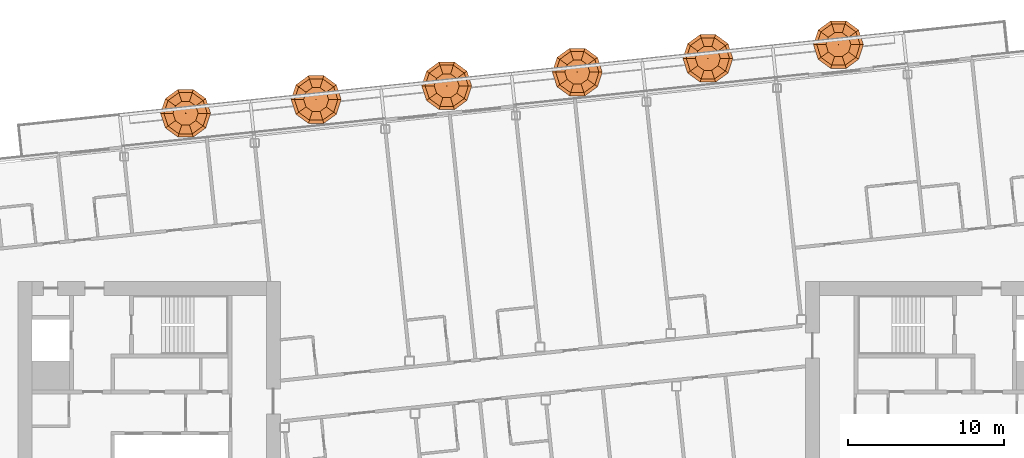
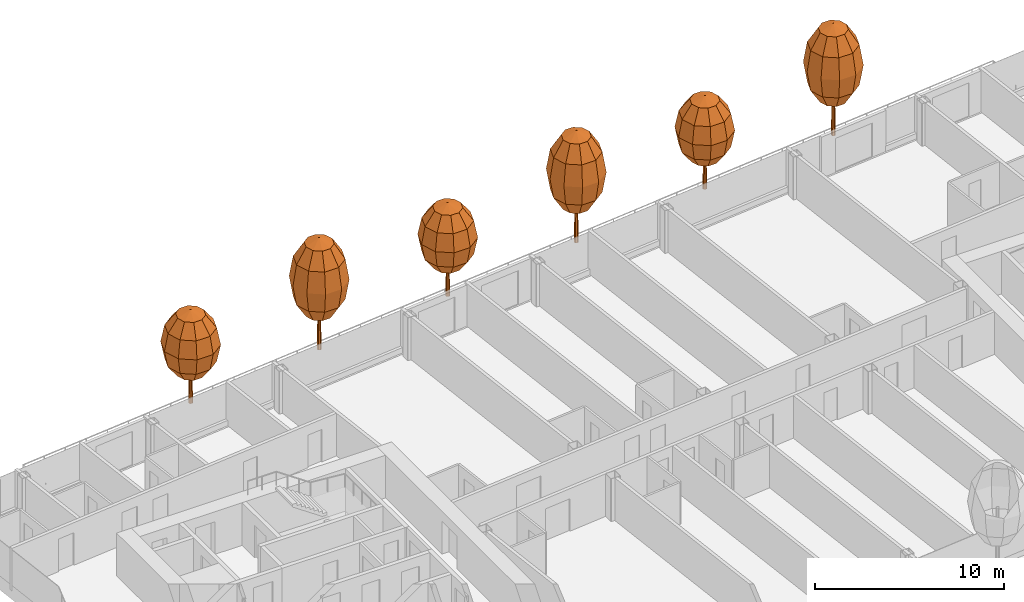
# One storey, part 30 of 30: 6 geographic elements.
"""IFC4 building model written with IfcOpenShell, lengths in metres."""

from ifc_helpers import new_model, si_unit, direction, frame, origin, place, context, subcontext, project, spatial, triangles, material, type_object, element, save


model = new_model("IFC4")

# Units and contexts
model_context = context("Model", 3, precision=1e-05, world=origin(), true_north=direction((0.0, 1.0)))
body_context = subcontext(model_context, "Body", "Model", "MODEL_VIEW")
ifc_project = project(units=[si_unit("LENGTHUNIT", "METRE"), si_unit("AREAUNIT", "SQUARE_METRE"), si_unit("VOLUMEUNIT", "CUBIC_METRE"), si_unit("PLANEANGLEUNIT", "RADIAN"), si_unit("MASSUNIT", "GRAM", prefix="KILO")], contexts=[model_context])

# Site, building, storey
site_placement = place(None, origin())
site = spatial("IfcSite", under=ifc_project, at=site_placement, CompositionType="ELEMENT")
building_placement = place(site_placement, origin())
building = spatial("IfcBuilding", under=site, at=building_placement, Name="Hakoniwa Tower and Hamabe Station Hall", CompositionType="ELEMENT")
storey_placement = place(building_placement, frame((0.0, 0.0, 245.39990234375)))
storey = spatial("IfcBuildingStorey", under=building, at=storey_placement, Name="L69", CompositionType="ELEMENT", Elevation=245.39990234375)

# Geographic elements
ifc_material_1 = material(Name="Tree foliage")
geographic_element_type_1 = type_object("IfcGeographicElementType", Name="Japanese maple 7.2 m", PredefinedType="USERDEFINED", material=ifc_material_1)
geographic_element_1_placement = place(storey_placement, frame((-14.51171875, 20.029052734375, 0.900146484375)))
element("IfcGeographicElement", 1, at=geographic_element_1_placement, inside=storey, type_object=geographic_element_type_1, Name="Japanese maple 7-2 m", ObjectType="TREE", PredefinedType="USERDEFINED", context=body_context, shape_type="Tessellation", body=[
    triangles([(0.125, 0.0, 0.0), (0.08837890625, 0.08837890625, 0.0), (0.0, 0.125, 0.0), (-0.08837890625, 0.08837890625, 0.0), (-0.125, 0.0, 0.0), (-0.08837890625, -0.08837890625, 0.0), (0.0, -0.125, 0.0), (0.08837890625, -0.08837890625, 0.0), (0.074951171875, 0.0, 4.348876953125), (0.052978515625, 0.052978515625, 4.348876953125), (0.0, 0.074951171875, 4.348876953125), (-0.052978515625, 0.052978515625, 4.348876953125), (-0.074951171875, 0.0, 4.348876953125), (-0.052978515625, -0.052978515625, 4.348876953125), (0.0, -0.074951171875, 4.348876953125), (0.052978515625, -0.052978515625, 4.348876953125), (0.0, 0.0, 0.0), (0.0, 0.0, 4.348876953125)], [[1, 2, 10], [1, 10, 9], [17, 2, 1], [18, 9, 10], [2, 3, 11], [2, 11, 10], [17, 3, 2], [18, 10, 11], [3, 4, 12], [3, 12, 11], [17, 4, 3], [18, 11, 12], [4, 5, 13], [4, 13, 12], [17, 5, 4], [18, 12, 13], [5, 6, 14], [5, 14, 13], [17, 6, 5], [18, 13, 14], [6, 7, 15], [6, 15, 14], [17, 7, 6], [18, 14, 15], [7, 8, 16], [7, 16, 15], [17, 8, 7], [18, 15, 16], [8, 1, 9], [8, 9, 16], [17, 1, 8], [18, 16, 9]], closed=True),
    triangles([(0.0, 0.0, 2.015869140625), (0.800048828125, 0.0, 2.36328125), (0.647216796875, 0.47021484375, 2.36328125), (0.247314453125, 0.7607421875, 2.36328125), (-0.247314453125, 0.7607421875, 2.36328125), (-0.647216796875, 0.47021484375, 2.36328125), (-0.800048828125, 0.0, 2.36328125), (-0.647216796875, -0.47021484375, 2.36328125), (-0.247314453125, -0.7607421875, 2.36328125), (0.247314453125, -0.7607421875, 2.36328125), (0.647216796875, -0.47021484375, 2.36328125), (1.385498046875, 0.0, 3.31201171875), (1.12109375, 0.814453125, 3.31201171875), (0.42822265625, 1.31787109375, 3.31201171875), (-0.42822265625, 1.31787109375, 3.31201171875), (-1.12109375, 0.814453125, 3.31201171875), (-1.385498046875, 0.0, 3.31201171875), (-1.12109375, -0.814453125, 3.31201171875), (-0.42822265625, -1.31787109375, 3.31201171875), (0.42822265625, -1.31787109375, 3.31201171875), (1.12109375, -0.814453125, 3.31201171875), (1.60009765625, 0.0, 4.60791015625), (1.29443359375, 0.9404296875, 4.60791015625), (0.494384765625, 1.521728515625, 4.60791015625), (-0.494384765625, 1.521728515625, 4.60791015625), (-1.29443359375, 0.9404296875, 4.60791015625), (-1.60009765625, 0.0, 4.60791015625), (-1.29443359375, -0.9404296875, 4.60791015625), (-0.494384765625, -1.521728515625, 4.60791015625), (0.494384765625, -1.521728515625, 4.60791015625), (1.29443359375, -0.9404296875, 4.60791015625), (1.385498046875, 0.0, 5.904052734375), (1.12109375, 0.814453125, 5.904052734375), (0.42822265625, 1.31787109375, 5.904052734375), (-0.42822265625, 1.31787109375, 5.904052734375), (-1.12109375, 0.814453125, 5.904052734375), (-1.385498046875, 0.0, 5.904052734375), (-1.12109375, -0.814453125, 5.904052734375), (-0.42822265625, -1.31787109375, 5.904052734375), (0.42822265625, -1.31787109375, 5.904052734375), (1.12109375, -0.814453125, 5.904052734375), (0.800048828125, 0.0, 6.852783203125), (0.647216796875, 0.47021484375, 6.852783203125), (0.247314453125, 0.7607421875, 6.852783203125), (-0.247314453125, 0.7607421875, 6.852783203125), (-0.647216796875, 0.47021484375, 6.852783203125), (-0.800048828125, 0.0, 6.852783203125), (-0.647216796875, -0.47021484375, 6.852783203125), (-0.247314453125, -0.7607421875, 6.852783203125), (0.247314453125, -0.7607421875, 6.852783203125), (0.647216796875, -0.47021484375, 6.852783203125), (0.0, 0.0, 7.199951171875)], [[1, 3, 2], [1, 4, 3], [1, 5, 4], [1, 6, 5], [1, 7, 6], [1, 8, 7], [1, 9, 8], [1, 10, 9], [1, 11, 10], [1, 2, 11], [2, 3, 13], [2, 13, 12], [3, 4, 14], [3, 14, 13], [4, 5, 15], [4, 15, 14], [5, 6, 16], [5, 16, 15], [6, 7, 17], [6, 17, 16], [7, 8, 18], [7, 18, 17], [8, 9, 19], [8, 19, 18], [9, 10, 20], [9, 20, 19], [10, 11, 21], [10, 21, 20], [11, 2, 12], [11, 12, 21], [12, 13, 23], [12, 23, 22], [13, 14, 24], [13, 24, 23], [14, 15, 25], [14, 25, 24], [15, 16, 26], [15, 26, 25], [16, 17, 27], [16, 27, 26], [17, 18, 28], [17, 28, 27], [18, 19, 29], [18, 29, 28], [19, 20, 30], [19, 30, 29], [20, 21, 31], [20, 31, 30], [21, 12, 22], [21, 22, 31], [22, 23, 33], [22, 33, 32], [23, 24, 34], [23, 34, 33], [24, 25, 35], [24, 35, 34], [25, 26, 36], [25, 36, 35], [26, 27, 37], [26, 37, 36], [27, 28, 38], [27, 38, 37], [28, 29, 39], [28, 39, 38], [29, 30, 40], [29, 40, 39], [30, 31, 41], [30, 41, 40], [31, 22, 32], [31, 32, 41], [32, 33, 43], [32, 43, 42], [33, 34, 44], [33, 44, 43], [34, 35, 45], [34, 45, 44], [35, 36, 46], [35, 46, 45], [36, 37, 47], [36, 47, 46], [37, 38, 48], [37, 48, 47], [38, 39, 49], [38, 49, 48], [39, 40, 50], [39, 50, 49], [40, 41, 51], [40, 51, 50], [41, 32, 42], [41, 42, 51], [52, 42, 43], [52, 43, 44], [52, 44, 45], [52, 45, 46], [52, 46, 47], [52, 47, 48], [52, 48, 49], [52, 49, 50], [52, 50, 51], [52, 51, 42]], closed=True),
])
geographic_element_2_placement = place(storey_placement, frame((2.1962890625, 21.78515625, 0.900146484375)))
element("IfcGeographicElement", 2, at=geographic_element_2_placement, inside=storey, type_object=geographic_element_type_1, Name="Japanese maple 7-2 m", ObjectType="TREE", PredefinedType="USERDEFINED", context=body_context, shape_type="Tessellation", body=[
    triangles([(0.125, 0.0, 0.0), (0.08837890625, 0.08837890625, 0.0), (0.0, 0.125, 0.0), (-0.08837890625, 0.08837890625, 0.0), (-0.125, 0.0, 0.0), (-0.08837890625, -0.08837890625, 0.0), (0.0, -0.125, 0.0), (0.08837890625, -0.08837890625, 0.0), (0.074951171875, 0.0, 4.348876953125), (0.052978515625, 0.052978515625, 4.348876953125), (0.0, 0.074951171875, 4.348876953125), (-0.052978515625, 0.052978515625, 4.348876953125), (-0.074951171875, 0.0, 4.348876953125), (-0.052978515625, -0.052978515625, 4.348876953125), (0.0, -0.074951171875, 4.348876953125), (0.052978515625, -0.052978515625, 4.348876953125), (0.0, 0.0, 0.0), (0.0, 0.0, 4.348876953125)], [[1, 2, 10], [1, 10, 9], [17, 2, 1], [18, 9, 10], [2, 3, 11], [2, 11, 10], [17, 3, 2], [18, 10, 11], [3, 4, 12], [3, 12, 11], [17, 4, 3], [18, 11, 12], [4, 5, 13], [4, 13, 12], [17, 5, 4], [18, 12, 13], [5, 6, 14], [5, 14, 13], [17, 6, 5], [18, 13, 14], [6, 7, 15], [6, 15, 14], [17, 7, 6], [18, 14, 15], [7, 8, 16], [7, 16, 15], [17, 8, 7], [18, 15, 16], [8, 1, 9], [8, 9, 16], [17, 1, 8], [18, 16, 9]], closed=True),
    triangles([(0.0, 0.0, 2.015869140625), (0.800048828125, 0.0, 2.36328125), (0.647216796875, 0.47021484375, 2.36328125), (0.247314453125, 0.7607421875, 2.36328125), (-0.247314453125, 0.7607421875, 2.36328125), (-0.647216796875, 0.47021484375, 2.36328125), (-0.800048828125, 0.0, 2.36328125), (-0.647216796875, -0.47021484375, 2.36328125), (-0.247314453125, -0.7607421875, 2.36328125), (0.247314453125, -0.7607421875, 2.36328125), (0.647216796875, -0.47021484375, 2.36328125), (1.385498046875, 0.0, 3.31201171875), (1.12109375, 0.814453125, 3.31201171875), (0.42822265625, 1.31787109375, 3.31201171875), (-0.42822265625, 1.31787109375, 3.31201171875), (-1.12109375, 0.814453125, 3.31201171875), (-1.385498046875, 0.0, 3.31201171875), (-1.12109375, -0.814453125, 3.31201171875), (-0.42822265625, -1.31787109375, 3.31201171875), (0.42822265625, -1.31787109375, 3.31201171875), (1.12109375, -0.814453125, 3.31201171875), (1.60009765625, 0.0, 4.60791015625), (1.29443359375, 0.9404296875, 4.60791015625), (0.494384765625, 1.521728515625, 4.60791015625), (-0.494384765625, 1.521728515625, 4.60791015625), (-1.29443359375, 0.9404296875, 4.60791015625), (-1.60009765625, 0.0, 4.60791015625), (-1.29443359375, -0.9404296875, 4.60791015625), (-0.494384765625, -1.521728515625, 4.60791015625), (0.494384765625, -1.521728515625, 4.60791015625), (1.29443359375, -0.9404296875, 4.60791015625), (1.385498046875, 0.0, 5.904052734375), (1.12109375, 0.814453125, 5.904052734375), (0.42822265625, 1.31787109375, 5.904052734375), (-0.42822265625, 1.31787109375, 5.904052734375), (-1.12109375, 0.814453125, 5.904052734375), (-1.385498046875, 0.0, 5.904052734375), (-1.12109375, -0.814453125, 5.904052734375), (-0.42822265625, -1.31787109375, 5.904052734375), (0.42822265625, -1.31787109375, 5.904052734375), (1.12109375, -0.814453125, 5.904052734375), (0.800048828125, 0.0, 6.852783203125), (0.647216796875, 0.47021484375, 6.852783203125), (0.247314453125, 0.7607421875, 6.852783203125), (-0.247314453125, 0.7607421875, 6.852783203125), (-0.647216796875, 0.47021484375, 6.852783203125), (-0.800048828125, 0.0, 6.852783203125), (-0.647216796875, -0.47021484375, 6.852783203125), (-0.247314453125, -0.7607421875, 6.852783203125), (0.247314453125, -0.7607421875, 6.852783203125), (0.647216796875, -0.47021484375, 6.852783203125), (0.0, 0.0, 7.199951171875)], [[1, 3, 2], [1, 4, 3], [1, 5, 4], [1, 6, 5], [1, 7, 6], [1, 8, 7], [1, 9, 8], [1, 10, 9], [1, 11, 10], [1, 2, 11], [2, 3, 13], [2, 13, 12], [3, 4, 14], [3, 14, 13], [4, 5, 15], [4, 15, 14], [5, 6, 16], [5, 16, 15], [6, 7, 17], [6, 17, 16], [7, 8, 18], [7, 18, 17], [8, 9, 19], [8, 19, 18], [9, 10, 20], [9, 20, 19], [10, 11, 21], [10, 21, 20], [11, 2, 12], [11, 12, 21], [12, 13, 23], [12, 23, 22], [13, 14, 24], [13, 24, 23], [14, 15, 25], [14, 25, 24], [15, 16, 26], [15, 26, 25], [16, 17, 27], [16, 27, 26], [17, 18, 28], [17, 28, 27], [18, 19, 29], [18, 29, 28], [19, 20, 30], [19, 30, 29], [20, 21, 31], [20, 31, 30], [21, 12, 22], [21, 22, 31], [22, 23, 33], [22, 33, 32], [23, 24, 34], [23, 34, 33], [24, 25, 35], [24, 35, 34], [25, 26, 36], [25, 36, 35], [26, 27, 37], [26, 37, 36], [27, 28, 38], [27, 38, 37], [28, 29, 39], [28, 39, 38], [29, 30, 40], [29, 40, 39], [30, 31, 41], [30, 41, 40], [31, 22, 32], [31, 32, 41], [32, 33, 43], [32, 43, 42], [33, 34, 44], [33, 44, 43], [34, 35, 45], [34, 45, 44], [35, 36, 46], [35, 46, 45], [36, 37, 47], [36, 47, 46], [37, 38, 48], [37, 48, 47], [38, 39, 49], [38, 49, 48], [39, 40, 50], [39, 50, 49], [40, 41, 51], [40, 51, 50], [41, 32, 42], [41, 42, 51], [52, 42, 43], [52, 43, 44], [52, 44, 45], [52, 45, 46], [52, 46, 47], [52, 47, 48], [52, 48, 49], [52, 49, 50], [52, 50, 51], [52, 51, 42]], closed=True),
])
geographic_element_3_placement = place(storey_placement, frame((18.904052734375, 23.541259765625, 0.900146484375)))
element("IfcGeographicElement", 3, at=geographic_element_3_placement, inside=storey, type_object=geographic_element_type_1, Name="Japanese maple 7-2 m", ObjectType="TREE", PredefinedType="USERDEFINED", context=body_context, shape_type="Tessellation", body=[
    triangles([(0.125, 0.0, 0.0), (0.08837890625, 0.08837890625, 0.0), (0.0, 0.125, 0.0), (-0.08837890625, 0.08837890625, 0.0), (-0.125, 0.0, 0.0), (-0.08837890625, -0.08837890625, 0.0), (0.0, -0.125, 0.0), (0.08837890625, -0.08837890625, 0.0), (0.074951171875, 0.0, 4.348876953125), (0.052978515625, 0.052978515625, 4.348876953125), (0.0, 0.074951171875, 4.348876953125), (-0.052978515625, 0.052978515625, 4.348876953125), (-0.074951171875, 0.0, 4.348876953125), (-0.052978515625, -0.052978515625, 4.348876953125), (0.0, -0.074951171875, 4.348876953125), (0.052978515625, -0.052978515625, 4.348876953125), (0.0, 0.0, 0.0), (0.0, 0.0, 4.348876953125)], [[1, 2, 10], [1, 10, 9], [17, 2, 1], [18, 9, 10], [2, 3, 11], [2, 11, 10], [17, 3, 2], [18, 10, 11], [3, 4, 12], [3, 12, 11], [17, 4, 3], [18, 11, 12], [4, 5, 13], [4, 13, 12], [17, 5, 4], [18, 12, 13], [5, 6, 14], [5, 14, 13], [17, 6, 5], [18, 13, 14], [6, 7, 15], [6, 15, 14], [17, 7, 6], [18, 14, 15], [7, 8, 16], [7, 16, 15], [17, 8, 7], [18, 15, 16], [8, 1, 9], [8, 9, 16], [17, 1, 8], [18, 16, 9]], closed=True),
    triangles([(0.0, 0.0, 2.015869140625), (0.800048828125, 0.0, 2.36328125), (0.647216796875, 0.47021484375, 2.36328125), (0.247314453125, 0.7607421875, 2.36328125), (-0.247314453125, 0.7607421875, 2.36328125), (-0.647216796875, 0.47021484375, 2.36328125), (-0.800048828125, 0.0, 2.36328125), (-0.647216796875, -0.47021484375, 2.36328125), (-0.247314453125, -0.7607421875, 2.36328125), (0.247314453125, -0.7607421875, 2.36328125), (0.647216796875, -0.47021484375, 2.36328125), (1.385498046875, 0.0, 3.31201171875), (1.12109375, 0.814453125, 3.31201171875), (0.42822265625, 1.31787109375, 3.31201171875), (-0.42822265625, 1.31787109375, 3.31201171875), (-1.12109375, 0.814453125, 3.31201171875), (-1.385498046875, 0.0, 3.31201171875), (-1.12109375, -0.814453125, 3.31201171875), (-0.42822265625, -1.31787109375, 3.31201171875), (0.42822265625, -1.31787109375, 3.31201171875), (1.12109375, -0.814453125, 3.31201171875), (1.60009765625, 0.0, 4.60791015625), (1.29443359375, 0.9404296875, 4.60791015625), (0.494384765625, 1.521728515625, 4.60791015625), (-0.494384765625, 1.521728515625, 4.60791015625), (-1.29443359375, 0.9404296875, 4.60791015625), (-1.60009765625, 0.0, 4.60791015625), (-1.29443359375, -0.9404296875, 4.60791015625), (-0.494384765625, -1.521728515625, 4.60791015625), (0.494384765625, -1.521728515625, 4.60791015625), (1.29443359375, -0.9404296875, 4.60791015625), (1.385498046875, 0.0, 5.904052734375), (1.12109375, 0.814453125, 5.904052734375), (0.42822265625, 1.31787109375, 5.904052734375), (-0.42822265625, 1.31787109375, 5.904052734375), (-1.12109375, 0.814453125, 5.904052734375), (-1.385498046875, 0.0, 5.904052734375), (-1.12109375, -0.814453125, 5.904052734375), (-0.42822265625, -1.31787109375, 5.904052734375), (0.42822265625, -1.31787109375, 5.904052734375), (1.12109375, -0.814453125, 5.904052734375), (0.800048828125, 0.0, 6.852783203125), (0.647216796875, 0.47021484375, 6.852783203125), (0.247314453125, 0.7607421875, 6.852783203125), (-0.247314453125, 0.7607421875, 6.852783203125), (-0.647216796875, 0.47021484375, 6.852783203125), (-0.800048828125, 0.0, 6.852783203125), (-0.647216796875, -0.47021484375, 6.852783203125), (-0.247314453125, -0.7607421875, 6.852783203125), (0.247314453125, -0.7607421875, 6.852783203125), (0.647216796875, -0.47021484375, 6.852783203125), (0.0, 0.0, 7.199951171875)], [[1, 3, 2], [1, 4, 3], [1, 5, 4], [1, 6, 5], [1, 7, 6], [1, 8, 7], [1, 9, 8], [1, 10, 9], [1, 11, 10], [1, 2, 11], [2, 3, 13], [2, 13, 12], [3, 4, 14], [3, 14, 13], [4, 5, 15], [4, 15, 14], [5, 6, 16], [5, 16, 15], [6, 7, 17], [6, 17, 16], [7, 8, 18], [7, 18, 17], [8, 9, 19], [8, 19, 18], [9, 10, 20], [9, 20, 19], [10, 11, 21], [10, 21, 20], [11, 2, 12], [11, 12, 21], [12, 13, 23], [12, 23, 22], [13, 14, 24], [13, 24, 23], [14, 15, 25], [14, 25, 24], [15, 16, 26], [15, 26, 25], [16, 17, 27], [16, 27, 26], [17, 18, 28], [17, 28, 27], [18, 19, 29], [18, 29, 28], [19, 20, 30], [19, 30, 29], [20, 21, 31], [20, 31, 30], [21, 12, 22], [21, 22, 31], [22, 23, 33], [22, 33, 32], [23, 24, 34], [23, 34, 33], [24, 25, 35], [24, 35, 34], [25, 26, 36], [25, 36, 35], [26, 27, 37], [26, 37, 36], [27, 28, 38], [27, 38, 37], [28, 29, 39], [28, 39, 38], [29, 30, 40], [29, 40, 39], [30, 31, 41], [30, 41, 40], [31, 22, 32], [31, 32, 41], [32, 33, 43], [32, 43, 42], [33, 34, 44], [33, 44, 43], [34, 35, 45], [34, 45, 44], [35, 36, 46], [35, 46, 45], [36, 37, 47], [36, 47, 46], [37, 38, 48], [37, 48, 47], [38, 39, 49], [38, 49, 48], [39, 40, 50], [39, 50, 49], [40, 41, 51], [40, 51, 50], [41, 32, 42], [41, 42, 51], [52, 42, 43], [52, 43, 44], [52, 44, 45], [52, 45, 46], [52, 46, 47], [52, 47, 48], [52, 48, 49], [52, 49, 50], [52, 50, 51], [52, 51, 42]], closed=True),
])
ifc_material_2 = material(Name="Tree foliage")
geographic_element_type_2 = type_object("IfcGeographicElementType", Name="Osmanthus 6.0 m", PredefinedType="USERDEFINED", material=ifc_material_2)
geographic_element_4_placement = place(storey_placement, frame((-22.86572265625, 19.151123046875, 0.900146484375)))
element("IfcGeographicElement", 4, at=geographic_element_4_placement, inside=storey, type_object=geographic_element_type_2, Name="Osmanthus 6-0 m", ObjectType="TREE", PredefinedType="USERDEFINED", context=body_context, shape_type="Tessellation", body=[
    triangles([(0.125, 0.0, 0.0), (0.08837890625, 0.08837890625, 0.0), (0.0, 0.125, 0.0), (-0.08837890625, 0.08837890625, 0.0), (-0.125, 0.0, 0.0), (-0.08837890625, -0.08837890625, 0.0), (0.0, -0.125, 0.0), (0.08837890625, -0.08837890625, 0.0), (0.074951171875, 0.0, 3.6240234375), (0.052978515625, 0.052978515625, 3.6240234375), (0.0, 0.074951171875, 3.6240234375), (-0.052978515625, 0.052978515625, 3.6240234375), (-0.074951171875, 0.0, 3.6240234375), (-0.052978515625, -0.052978515625, 3.6240234375), (0.0, -0.074951171875, 3.6240234375), (0.052978515625, -0.052978515625, 3.6240234375), (0.0, 0.0, 0.0), (0.0, 0.0, 3.6240234375)], [[1, 2, 10], [1, 10, 9], [17, 2, 1], [18, 9, 10], [2, 3, 11], [2, 11, 10], [17, 3, 2], [18, 10, 11], [3, 4, 12], [3, 12, 11], [17, 4, 3], [18, 11, 12], [4, 5, 13], [4, 13, 12], [17, 5, 4], [18, 12, 13], [5, 6, 14], [5, 14, 13], [17, 6, 5], [18, 13, 14], [6, 7, 15], [6, 15, 14], [17, 7, 6], [18, 14, 15], [7, 8, 16], [7, 16, 15], [17, 8, 7], [18, 15, 16], [8, 1, 9], [8, 9, 16], [17, 1, 8], [18, 16, 9]], closed=True),
    triangles([(0.0, 0.0, 1.679931640625), (0.800048828125, 0.0, 1.969482421875), (0.647216796875, 0.47021484375, 1.969482421875), (0.247314453125, 0.7607421875, 1.969482421875), (-0.247314453125, 0.7607421875, 1.969482421875), (-0.647216796875, 0.47021484375, 1.969482421875), (-0.800048828125, 0.0, 1.969482421875), (-0.647216796875, -0.47021484375, 1.969482421875), (-0.247314453125, -0.7607421875, 1.969482421875), (0.247314453125, -0.7607421875, 1.969482421875), (0.647216796875, -0.47021484375, 1.969482421875), (1.385498046875, 0.0, 2.760009765625), (1.12109375, 0.814453125, 2.760009765625), (0.42822265625, 1.31787109375, 2.760009765625), (-0.42822265625, 1.31787109375, 2.760009765625), (-1.12109375, 0.814453125, 2.760009765625), (-1.385498046875, 0.0, 2.760009765625), (-1.12109375, -0.814453125, 2.760009765625), (-0.42822265625, -1.31787109375, 2.760009765625), (0.42822265625, -1.31787109375, 2.760009765625), (1.12109375, -0.814453125, 2.760009765625), (1.60009765625, 0.0, 3.840087890625), (1.29443359375, 0.9404296875, 3.840087890625), (0.494384765625, 1.521728515625, 3.840087890625), (-0.494384765625, 1.521728515625, 3.840087890625), (-1.29443359375, 0.9404296875, 3.840087890625), (-1.60009765625, 0.0, 3.840087890625), (-1.29443359375, -0.9404296875, 3.840087890625), (-0.494384765625, -1.521728515625, 3.840087890625), (0.494384765625, -1.521728515625, 3.840087890625), (1.29443359375, -0.9404296875, 3.840087890625), (1.385498046875, 0.0, 4.919921875), (1.12109375, 0.814453125, 4.919921875), (0.42822265625, 1.31787109375, 4.919921875), (-0.42822265625, 1.31787109375, 4.919921875), (-1.12109375, 0.814453125, 4.919921875), (-1.385498046875, 0.0, 4.919921875), (-1.12109375, -0.814453125, 4.919921875), (-0.42822265625, -1.31787109375, 4.919921875), (0.42822265625, -1.31787109375, 4.919921875), (1.12109375, -0.814453125, 4.919921875), (0.800048828125, 0.0, 5.710693359375), (0.647216796875, 0.47021484375, 5.710693359375), (0.247314453125, 0.7607421875, 5.710693359375), (-0.247314453125, 0.7607421875, 5.710693359375), (-0.647216796875, 0.47021484375, 5.710693359375), (-0.800048828125, 0.0, 5.710693359375), (-0.647216796875, -0.47021484375, 5.710693359375), (-0.247314453125, -0.7607421875, 5.710693359375), (0.247314453125, -0.7607421875, 5.710693359375), (0.647216796875, -0.47021484375, 5.710693359375), (0.0, 0.0, 6.0)], [[1, 3, 2], [1, 4, 3], [1, 5, 4], [1, 6, 5], [1, 7, 6], [1, 8, 7], [1, 9, 8], [1, 10, 9], [1, 11, 10], [1, 2, 11], [2, 3, 13], [2, 13, 12], [3, 4, 14], [3, 14, 13], [4, 5, 15], [4, 15, 14], [5, 6, 16], [5, 16, 15], [6, 7, 17], [6, 17, 16], [7, 8, 18], [7, 18, 17], [8, 9, 19], [8, 19, 18], [9, 10, 20], [9, 20, 19], [10, 11, 21], [10, 21, 20], [11, 2, 12], [11, 12, 21], [12, 13, 23], [12, 23, 22], [13, 14, 24], [13, 24, 23], [14, 15, 25], [14, 25, 24], [15, 16, 26], [15, 26, 25], [16, 17, 27], [16, 27, 26], [17, 18, 28], [17, 28, 27], [18, 19, 29], [18, 29, 28], [19, 20, 30], [19, 30, 29], [20, 21, 31], [20, 31, 30], [21, 12, 22], [21, 22, 31], [22, 23, 33], [22, 33, 32], [23, 24, 34], [23, 34, 33], [24, 25, 35], [24, 35, 34], [25, 26, 36], [25, 36, 35], [26, 27, 37], [26, 37, 36], [27, 28, 38], [27, 38, 37], [28, 29, 39], [28, 39, 38], [29, 30, 40], [29, 40, 39], [30, 31, 41], [30, 41, 40], [31, 22, 32], [31, 32, 41], [32, 33, 43], [32, 43, 42], [33, 34, 44], [33, 44, 43], [34, 35, 45], [34, 45, 44], [35, 36, 46], [35, 46, 45], [36, 37, 47], [36, 47, 46], [37, 38, 48], [37, 48, 47], [38, 39, 49], [38, 49, 48], [39, 40, 50], [39, 50, 49], [40, 41, 51], [40, 51, 50], [41, 32, 42], [41, 42, 51], [52, 42, 43], [52, 43, 44], [52, 44, 45], [52, 45, 46], [52, 46, 47], [52, 47, 48], [52, 48, 49], [52, 49, 50], [52, 50, 51], [52, 51, 42]], closed=True),
])
geographic_element_5_placement = place(storey_placement, frame((-6.15771484375, 20.9072265625, 0.900146484375)))
element("IfcGeographicElement", 5, at=geographic_element_5_placement, inside=storey, type_object=geographic_element_type_2, Name="Osmanthus 6-0 m", ObjectType="TREE", PredefinedType="USERDEFINED", context=body_context, shape_type="Tessellation", body=[
    triangles([(0.125, 0.0, 0.0), (0.08837890625, 0.08837890625, 0.0), (0.0, 0.125, 0.0), (-0.08837890625, 0.08837890625, 0.0), (-0.125, 0.0, 0.0), (-0.08837890625, -0.08837890625, 0.0), (0.0, -0.125, 0.0), (0.08837890625, -0.08837890625, 0.0), (0.074951171875, 0.0, 3.6240234375), (0.052978515625, 0.052978515625, 3.6240234375), (0.0, 0.074951171875, 3.6240234375), (-0.052978515625, 0.052978515625, 3.6240234375), (-0.074951171875, 0.0, 3.6240234375), (-0.052978515625, -0.052978515625, 3.6240234375), (0.0, -0.074951171875, 3.6240234375), (0.052978515625, -0.052978515625, 3.6240234375), (0.0, 0.0, 0.0), (0.0, 0.0, 3.6240234375)], [[1, 2, 10], [1, 10, 9], [17, 2, 1], [18, 9, 10], [2, 3, 11], [2, 11, 10], [17, 3, 2], [18, 10, 11], [3, 4, 12], [3, 12, 11], [17, 4, 3], [18, 11, 12], [4, 5, 13], [4, 13, 12], [17, 5, 4], [18, 12, 13], [5, 6, 14], [5, 14, 13], [17, 6, 5], [18, 13, 14], [6, 7, 15], [6, 15, 14], [17, 7, 6], [18, 14, 15], [7, 8, 16], [7, 16, 15], [17, 8, 7], [18, 15, 16], [8, 1, 9], [8, 9, 16], [17, 1, 8], [18, 16, 9]], closed=True),
    triangles([(0.0, 0.0, 1.679931640625), (0.800048828125, 0.0, 1.969482421875), (0.647216796875, 0.47021484375, 1.969482421875), (0.247314453125, 0.7607421875, 1.969482421875), (-0.247314453125, 0.7607421875, 1.969482421875), (-0.647216796875, 0.47021484375, 1.969482421875), (-0.800048828125, 0.0, 1.969482421875), (-0.647216796875, -0.47021484375, 1.969482421875), (-0.247314453125, -0.7607421875, 1.969482421875), (0.247314453125, -0.7607421875, 1.969482421875), (0.647216796875, -0.47021484375, 1.969482421875), (1.385498046875, 0.0, 2.760009765625), (1.12109375, 0.814453125, 2.760009765625), (0.42822265625, 1.31787109375, 2.760009765625), (-0.42822265625, 1.31787109375, 2.760009765625), (-1.12109375, 0.814453125, 2.760009765625), (-1.385498046875, 0.0, 2.760009765625), (-1.12109375, -0.814453125, 2.760009765625), (-0.42822265625, -1.31787109375, 2.760009765625), (0.42822265625, -1.31787109375, 2.760009765625), (1.12109375, -0.814453125, 2.760009765625), (1.60009765625, 0.0, 3.840087890625), (1.29443359375, 0.9404296875, 3.840087890625), (0.494384765625, 1.521728515625, 3.840087890625), (-0.494384765625, 1.521728515625, 3.840087890625), (-1.29443359375, 0.9404296875, 3.840087890625), (-1.60009765625, 0.0, 3.840087890625), (-1.29443359375, -0.9404296875, 3.840087890625), (-0.494384765625, -1.521728515625, 3.840087890625), (0.494384765625, -1.521728515625, 3.840087890625), (1.29443359375, -0.9404296875, 3.840087890625), (1.385498046875, 0.0, 4.919921875), (1.12109375, 0.814453125, 4.919921875), (0.42822265625, 1.31787109375, 4.919921875), (-0.42822265625, 1.31787109375, 4.919921875), (-1.12109375, 0.814453125, 4.919921875), (-1.385498046875, 0.0, 4.919921875), (-1.12109375, -0.814453125, 4.919921875), (-0.42822265625, -1.31787109375, 4.919921875), (0.42822265625, -1.31787109375, 4.919921875), (1.12109375, -0.814453125, 4.919921875), (0.800048828125, 0.0, 5.710693359375), (0.647216796875, 0.47021484375, 5.710693359375), (0.247314453125, 0.7607421875, 5.710693359375), (-0.247314453125, 0.7607421875, 5.710693359375), (-0.647216796875, 0.47021484375, 5.710693359375), (-0.800048828125, 0.0, 5.710693359375), (-0.647216796875, -0.47021484375, 5.710693359375), (-0.247314453125, -0.7607421875, 5.710693359375), (0.247314453125, -0.7607421875, 5.710693359375), (0.647216796875, -0.47021484375, 5.710693359375), (0.0, 0.0, 6.0)], [[1, 3, 2], [1, 4, 3], [1, 5, 4], [1, 6, 5], [1, 7, 6], [1, 8, 7], [1, 9, 8], [1, 10, 9], [1, 11, 10], [1, 2, 11], [2, 3, 13], [2, 13, 12], [3, 4, 14], [3, 14, 13], [4, 5, 15], [4, 15, 14], [5, 6, 16], [5, 16, 15], [6, 7, 17], [6, 17, 16], [7, 8, 18], [7, 18, 17], [8, 9, 19], [8, 19, 18], [9, 10, 20], [9, 20, 19], [10, 11, 21], [10, 21, 20], [11, 2, 12], [11, 12, 21], [12, 13, 23], [12, 23, 22], [13, 14, 24], [13, 24, 23], [14, 15, 25], [14, 25, 24], [15, 16, 26], [15, 26, 25], [16, 17, 27], [16, 27, 26], [17, 18, 28], [17, 28, 27], [18, 19, 29], [18, 29, 28], [19, 20, 30], [19, 30, 29], [20, 21, 31], [20, 31, 30], [21, 12, 22], [21, 22, 31], [22, 23, 33], [22, 33, 32], [23, 24, 34], [23, 34, 33], [24, 25, 35], [24, 35, 34], [25, 26, 36], [25, 36, 35], [26, 27, 37], [26, 37, 36], [27, 28, 38], [27, 38, 37], [28, 29, 39], [28, 39, 38], [29, 30, 40], [29, 40, 39], [30, 31, 41], [30, 41, 40], [31, 22, 32], [31, 32, 41], [32, 33, 43], [32, 43, 42], [33, 34, 44], [33, 44, 43], [34, 35, 45], [34, 45, 44], [35, 36, 46], [35, 46, 45], [36, 37, 47], [36, 47, 46], [37, 38, 48], [37, 48, 47], [38, 39, 49], [38, 49, 48], [39, 40, 50], [39, 50, 49], [40, 41, 51], [40, 51, 50], [41, 32, 42], [41, 42, 51], [52, 42, 43], [52, 43, 44], [52, 44, 45], [52, 45, 46], [52, 46, 47], [52, 47, 48], [52, 48, 49], [52, 49, 50], [52, 50, 51], [52, 51, 42]], closed=True),
])
geographic_element_6_placement = place(storey_placement, frame((10.550048828125, 22.663330078125, 0.900146484375)))
element("IfcGeographicElement", 6, at=geographic_element_6_placement, inside=storey, type_object=geographic_element_type_2, Name="Osmanthus 6-0 m", ObjectType="TREE", PredefinedType="USERDEFINED", context=body_context, shape_type="Tessellation", body=[
    triangles([(0.125, 0.0, 0.0), (0.08837890625, 0.08837890625, 0.0), (0.0, 0.125, 0.0), (-0.08837890625, 0.08837890625, 0.0), (-0.125, 0.0, 0.0), (-0.08837890625, -0.08837890625, 0.0), (0.0, -0.125, 0.0), (0.08837890625, -0.08837890625, 0.0), (0.074951171875, 0.0, 3.6240234375), (0.052978515625, 0.052978515625, 3.6240234375), (0.0, 0.074951171875, 3.6240234375), (-0.052978515625, 0.052978515625, 3.6240234375), (-0.074951171875, 0.0, 3.6240234375), (-0.052978515625, -0.052978515625, 3.6240234375), (0.0, -0.074951171875, 3.6240234375), (0.052978515625, -0.052978515625, 3.6240234375), (0.0, 0.0, 0.0), (0.0, 0.0, 3.6240234375)], [[1, 2, 10], [1, 10, 9], [17, 2, 1], [18, 9, 10], [2, 3, 11], [2, 11, 10], [17, 3, 2], [18, 10, 11], [3, 4, 12], [3, 12, 11], [17, 4, 3], [18, 11, 12], [4, 5, 13], [4, 13, 12], [17, 5, 4], [18, 12, 13], [5, 6, 14], [5, 14, 13], [17, 6, 5], [18, 13, 14], [6, 7, 15], [6, 15, 14], [17, 7, 6], [18, 14, 15], [7, 8, 16], [7, 16, 15], [17, 8, 7], [18, 15, 16], [8, 1, 9], [8, 9, 16], [17, 1, 8], [18, 16, 9]], closed=True),
    triangles([(0.0, 0.0, 1.679931640625), (0.800048828125, 0.0, 1.969482421875), (0.647216796875, 0.47021484375, 1.969482421875), (0.247314453125, 0.7607421875, 1.969482421875), (-0.247314453125, 0.7607421875, 1.969482421875), (-0.647216796875, 0.47021484375, 1.969482421875), (-0.800048828125, 0.0, 1.969482421875), (-0.647216796875, -0.47021484375, 1.969482421875), (-0.247314453125, -0.7607421875, 1.969482421875), (0.247314453125, -0.7607421875, 1.969482421875), (0.647216796875, -0.47021484375, 1.969482421875), (1.385498046875, 0.0, 2.760009765625), (1.12109375, 0.814453125, 2.760009765625), (0.42822265625, 1.31787109375, 2.760009765625), (-0.42822265625, 1.31787109375, 2.760009765625), (-1.12109375, 0.814453125, 2.760009765625), (-1.385498046875, 0.0, 2.760009765625), (-1.12109375, -0.814453125, 2.760009765625), (-0.42822265625, -1.31787109375, 2.760009765625), (0.42822265625, -1.31787109375, 2.760009765625), (1.12109375, -0.814453125, 2.760009765625), (1.60009765625, 0.0, 3.840087890625), (1.29443359375, 0.9404296875, 3.840087890625), (0.494384765625, 1.521728515625, 3.840087890625), (-0.494384765625, 1.521728515625, 3.840087890625), (-1.29443359375, 0.9404296875, 3.840087890625), (-1.60009765625, 0.0, 3.840087890625), (-1.29443359375, -0.9404296875, 3.840087890625), (-0.494384765625, -1.521728515625, 3.840087890625), (0.494384765625, -1.521728515625, 3.840087890625), (1.29443359375, -0.9404296875, 3.840087890625), (1.385498046875, 0.0, 4.919921875), (1.12109375, 0.814453125, 4.919921875), (0.42822265625, 1.31787109375, 4.919921875), (-0.42822265625, 1.31787109375, 4.919921875), (-1.12109375, 0.814453125, 4.919921875), (-1.385498046875, 0.0, 4.919921875), (-1.12109375, -0.814453125, 4.919921875), (-0.42822265625, -1.31787109375, 4.919921875), (0.42822265625, -1.31787109375, 4.919921875), (1.12109375, -0.814453125, 4.919921875), (0.800048828125, 0.0, 5.710693359375), (0.647216796875, 0.47021484375, 5.710693359375), (0.247314453125, 0.7607421875, 5.710693359375), (-0.247314453125, 0.7607421875, 5.710693359375), (-0.647216796875, 0.47021484375, 5.710693359375), (-0.800048828125, 0.0, 5.710693359375), (-0.647216796875, -0.47021484375, 5.710693359375), (-0.247314453125, -0.7607421875, 5.710693359375), (0.247314453125, -0.7607421875, 5.710693359375), (0.647216796875, -0.47021484375, 5.710693359375), (0.0, 0.0, 6.0)], [[1, 3, 2], [1, 4, 3], [1, 5, 4], [1, 6, 5], [1, 7, 6], [1, 8, 7], [1, 9, 8], [1, 10, 9], [1, 11, 10], [1, 2, 11], [2, 3, 13], [2, 13, 12], [3, 4, 14], [3, 14, 13], [4, 5, 15], [4, 15, 14], [5, 6, 16], [5, 16, 15], [6, 7, 17], [6, 17, 16], [7, 8, 18], [7, 18, 17], [8, 9, 19], [8, 19, 18], [9, 10, 20], [9, 20, 19], [10, 11, 21], [10, 21, 20], [11, 2, 12], [11, 12, 21], [12, 13, 23], [12, 23, 22], [13, 14, 24], [13, 24, 23], [14, 15, 25], [14, 25, 24], [15, 16, 26], [15, 26, 25], [16, 17, 27], [16, 27, 26], [17, 18, 28], [17, 28, 27], [18, 19, 29], [18, 29, 28], [19, 20, 30], [19, 30, 29], [20, 21, 31], [20, 31, 30], [21, 12, 22], [21, 22, 31], [22, 23, 33], [22, 33, 32], [23, 24, 34], [23, 34, 33], [24, 25, 35], [24, 35, 34], [25, 26, 36], [25, 36, 35], [26, 27, 37], [26, 37, 36], [27, 28, 38], [27, 38, 37], [28, 29, 39], [28, 39, 38], [29, 30, 40], [29, 40, 39], [30, 31, 41], [30, 41, 40], [31, 22, 32], [31, 32, 41], [32, 33, 43], [32, 43, 42], [33, 34, 44], [33, 44, 43], [34, 35, 45], [34, 45, 44], [35, 36, 46], [35, 46, 45], [36, 37, 47], [36, 47, 46], [37, 38, 48], [37, 48, 47], [38, 39, 49], [38, 49, 48], [39, 40, 50], [39, 50, 49], [40, 41, 51], [40, 51, 50], [41, 32, 42], [41, 42, 51], [52, 42, 43], [52, 43, 44], [52, 44, 45], [52, 45, 46], [52, 46, 47], [52, 47, 48], [52, 48, 49], [52, 49, 50], [52, 50, 51], [52, 51, 42]], closed=True),
])

save(model, "model.ifc")
